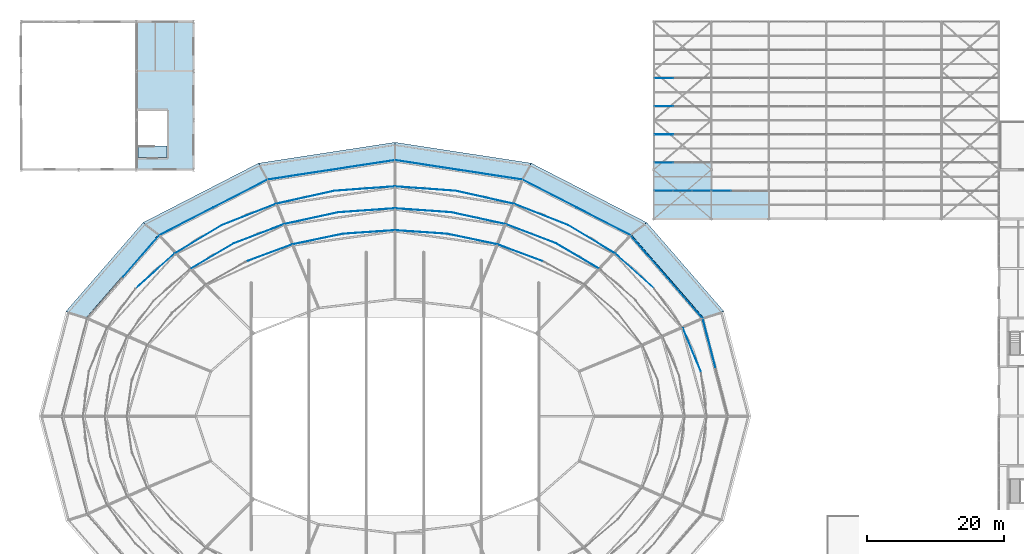
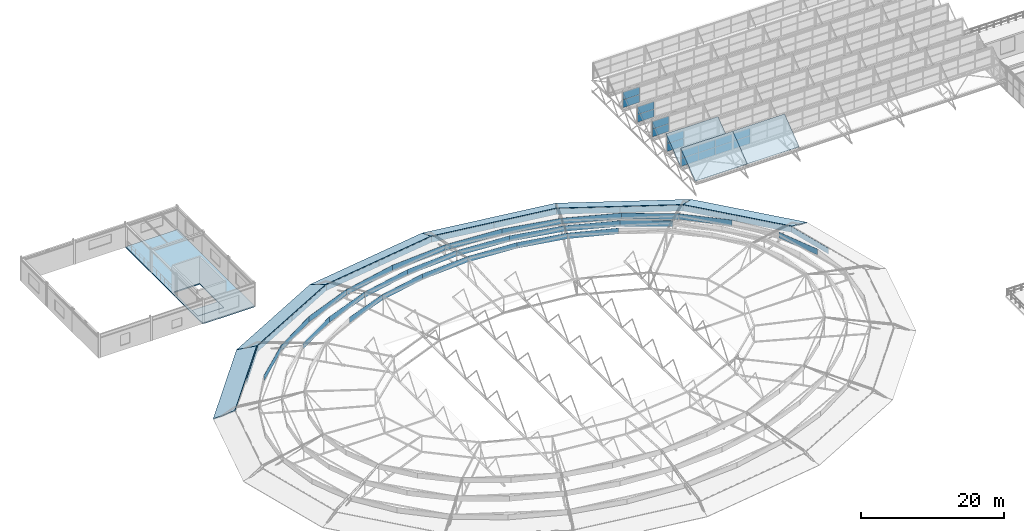
# One storey, part 105 of 134: 53 plates, 11 slabs, 6 elements without a shape of their own.
"""IFC4 building model written with IfcOpenShell, lengths in metres."""

from ifc_helpers import new_model, si_unit, derived_unit, direction, frame, origin, origin_2d, place, context, subcontext, project, spatial, polyline, rectangle, outline, extrude, material, layer, layer_set, type_object, element, aggregate, save


model = new_model("IFC4")

# Units and contexts
model_context = context("Model", 3, precision=1e-05, world=origin(), true_north=direction((0.0, 1.0)))
body_context = subcontext(model_context, "Body", "Model", "MODEL_VIEW")
ifc_project = project(units=[si_unit("LENGTHUNIT", "METRE"), si_unit("AREAUNIT", "SQUARE_METRE"), si_unit("VOLUMEUNIT", "CUBIC_METRE"), si_unit("PLANEANGLEUNIT", "RADIAN"), si_unit("MASSUNIT", "GRAM", prefix="KILO"), derived_unit("THERMALTRANSMITTANCEUNIT", [(si_unit("MASSUNIT", "GRAM", prefix="KILO"), 1), (si_unit("TIMEUNIT", "SECOND"), -3), (si_unit("THERMODYNAMICTEMPERATUREUNIT", "KELVIN"), -1)])], contexts=[model_context])

# Site, building, storey
site_placement = place(None, origin())
site = spatial("IfcSite", under=ifc_project, at=site_placement, CompositionType="ELEMENT")
building_placement = place(site_placement, origin())
building = spatial("IfcBuilding", under=site, at=building_placement, Name="Kharveza Railside Sports Centre", CompositionType="ELEMENT")
storey_placement = place(building_placement, frame((0.0, 0.0, 12.89990234375)))
storey = spatial("IfcBuildingStorey", under=building, at=storey_placement, Name="L03", CompositionType="ELEMENT", Elevation=12.89990234375)

# Plates
ifc_material_1 = material(Name="Patinated architectural bronze CuSn6")
ifc_layer_1 = layer(ifc_material_1, 0.02490234375, Name="Patinated architectural bronze CuSn6")
ifc_layer_set_1 = layer_set([ifc_layer_1], Name="Patinated architectural bronze CuSn6")
plate_type_1 = type_object("IfcPlateType", Name="PL-BZ01", PredefinedType="SHEET", material=ifc_layer_set_1)
plate_1_placement = place(storey_placement, frame((100.47265625, 61.137451171875, -0.27978515625), z_axis=(0.0, 0.0, 1.0), x_axis=(-0.250346209174, 0.968156379699, 0.0)))
element("IfcPlate", 1, at=plate_1_placement, inside=storey, type_object=plate_type_1, Name="PLT-BZ-S1-02", PredefinedType="SHEET", context=body_context, shape_type="SweptSolid", body=[
    extrude(rectangle(XDim=7.4189453125, YDim=0.02490234375, at=origin_2d()), origin(), (0.0, 0.0, 1.0), 0.97998046875),
])
for number, where, z_axis, x_axis, name in (
    (2, (96.930419921875, 67.714111328125, -0.27978515625), (0.0, 0.0, 1.0), (-0.655782369422, 0.754949987718, 0.0), "PLT-BZ-S1-03"),
    (3, (91.64111328125, 73.803466796875, -0.27978515625), (0.0, 0.0, 1.0), (-0.655782369422, 0.754949987718, 0.0), "PLT-BZ-S1-04"),
):
    element("IfcPlate", number, at=place(storey_placement, frame(where, z_axis=z_axis, x_axis=x_axis)), inside=storey, type_object=plate_type_1, Name=name, PredefinedType="SHEET", context=body_context, shape_type="SweptSolid", body=[
        extrude(rectangle(XDim=8.065673828125, YDim=0.02490234375, at=origin_2d()), origin(), (0.0, 0.0, 1.0), 0.97998046875),
    ])
for number, where, z_axis, x_axis, name in (
    (4, (85.08203125, 78.84814453125, -0.27978515625), (0.0, 0.0, 1.0), (-0.889400417022, 0.457128973268, 0.0), "PLT-BZ-S1-05"),
    (5, (77.166259765625, 82.916748046875, -0.27978515625), (0.0, 0.0, 1.0), (-0.889400417022, 0.457128973268, 0.0), "PLT-BZ-S1-06"),
):
    element("IfcPlate", number, at=place(storey_placement, frame(where, z_axis=z_axis, x_axis=x_axis)), inside=storey, type_object=plate_type_1, Name=name, PredefinedType="SHEET", context=body_context, shape_type="SweptSolid", body=[
        extrude(rectangle(XDim=8.900390625, YDim=0.02490234375, at=origin_2d()), origin(), (0.0, 0.0, 1.0), 0.97998046875),
    ])
for number, where, z_axis, x_axis, name in (
    (6, (68.583984375, 85.651123046875, -0.27978515625), (0.0, 0.0, 1.0), (-0.988496526657, 0.151243567751, 0.0), "PLT-BZ-S1-07"),
    (7, (59.24658203125, 87.079833984375, -0.27978515625), (0.0, 0.0, 1.0), (-0.988496526657, 0.151243567751, 0.0), "PLT-BZ-S1-08"),
    (8, (49.953369140625, 87.079833984375, -0.27978515625), (0.0, 0.0, 1.0), (-0.988496526657, -0.151243567751, 0.0), "PLT-BZ-S1-09"),
    (9, (40.615966796875, 85.651123046875, -0.27978515625), (0.0, 0.0, 1.0), (-0.988496526657, -0.151243567751, 0.0), "PLT-BZ-S1-10"),
):
    element("IfcPlate", number, at=place(storey_placement, frame(where, z_axis=z_axis, x_axis=x_axis)), inside=storey, type_object=plate_type_1, Name=name, PredefinedType="SHEET", context=body_context, shape_type="SweptSolid", body=[
        extrude(rectangle(XDim=9.446044921875, YDim=0.02490234375, at=origin_2d()), origin(), (0.0, 0.0, 1.0), 0.97998046875),
    ])
for number, where, z_axis, x_axis, name in (
    (10, (32.03369140625, 82.916748046875, -0.27978515625), (0.0, 0.0, 1.0), (-0.889400417022, -0.457128973268, 0.0), "PLT-BZ-S1-11"),
    (11, (24.117919921875, 78.84814453125, -0.27978515625), (0.0, 0.0, 1.0), (-0.889400417022, -0.457128973268, 0.0), "PLT-BZ-S1-12"),
):
    element("IfcPlate", number, at=place(storey_placement, frame(where, z_axis=z_axis, x_axis=x_axis)), inside=storey, type_object=plate_type_1, Name=name, PredefinedType="SHEET", context=body_context, shape_type="SweptSolid", body=[
        extrude(rectangle(XDim=8.900390625, YDim=0.02490234375, at=origin_2d()), origin(), (0.0, 0.0, 1.0), 0.97998046875),
    ])
plate_2_placement = place(storey_placement, frame((17.558837890625, 73.803466796875, -0.27978515625), z_axis=(0.0, 0.0, 1.0), x_axis=(-0.655782369422, -0.754949987718, 0.0)))
element("IfcPlate", 12, at=plate_2_placement, inside=storey, type_object=plate_type_1, Name="PLT-BZ-S1-13", PredefinedType="SHEET", context=body_context, shape_type="SweptSolid", body=[
    extrude(rectangle(XDim=8.065673828125, YDim=0.02490234375, at=origin_2d()), origin(), (0.0, 0.0, 1.0), 0.97998046875),
])
ifc_layer_2 = layer(ifc_material_1, 0.02490234375, Name="Patinated architectural bronze CuSn6")
ifc_layer_set_2 = layer_set([ifc_layer_2], Name="Patinated architectural bronze CuSn6")
plate_type_2 = type_object("IfcPlateType", Name="PL-BZ02", PredefinedType="SHEET", material=ifc_layer_set_2)
plate_3_placement = place(storey_placement, frame((97.978759765625, 60.09228515625, 0.670166015625), z_axis=(0.0, 0.0, 1.0), x_axis=(-0.380812179537, 0.924652412486, 0.0)))
element("IfcPlate", 13, at=plate_3_placement, inside=storey, type_object=plate_type_2, Name="PLT-BZ-S2-02", PredefinedType="SHEET", context=body_context, shape_type="SweptSolid", body=[
    extrude(rectangle(XDim=6.806640625, YDim=0.02490234375, at=origin_2d()), origin(), (0.0, 0.0, 1.0), 0.97998046875),
])
plate_4_placement = place(storey_placement, frame((89.64111328125, 71.581298828125, 0.670166015625), z_axis=(0.0, 0.0, 1.0), x_axis=(-0.744218291961, 0.667936474458, 0.0)))
element("IfcPlate", 14, at=plate_4_placement, inside=storey, type_object=plate_type_2, Name="PLT-BZ-S2-04", PredefinedType="SHEET", context=body_context, shape_type="SweptSolid", body=[
    extrude(rectangle(XDim=7.611572265625, YDim=0.02490234375, at=origin_2d()), origin(), (0.0, 0.0, 1.0), 0.97998046875),
])
plate_5_placement = place(storey_placement, frame((83.357421875, 76.209716796875, 0.670166015625), z_axis=(0.0, 0.0, 1.0), x_axis=(-0.855797941238, 0.517310239384, 0.0)))
element("IfcPlate", 15, at=plate_5_placement, inside=storey, type_object=plate_type_2, Name="PLT-BZ-S2-05", PredefinedType="SHEET", context=body_context, shape_type="SweptSolid", body=[
    extrude(rectangle(XDim=8.0654296875, YDim=0.02490234375, at=origin_2d()), origin(), (0.0, 0.0, 1.0), 0.97998046875),
])
plate_6_placement = place(storey_placement, frame((75.96875, 79.845947265625, 0.670166015625), z_axis=(0.0, 0.0, 1.0), x_axis=(-0.930487914019, 0.366322592621, 0.0)))
element("IfcPlate", 16, at=plate_6_placement, inside=storey, type_object=plate_type_2, Name="PLT-BZ-S2-06", PredefinedType="SHEET", context=body_context, shape_type="SweptSolid", body=[
    extrude(rectangle(XDim=8.46337890625, YDim=0.02490234375, at=origin_2d()), origin(), (0.0, 0.0, 1.0), 0.97998046875),
])
plate_7_placement = place(storey_placement, frame((67.7587890625, 82.350830078125, 0.670166015625), z_axis=(0.0, 0.0, 1.0), x_axis=(-0.975935794812, 0.218058075762, 0.0)))
element("IfcPlate", 17, at=plate_7_placement, inside=storey, type_object=plate_type_2, Name="PLT-BZ-S2-07", PredefinedType="SHEET", context=body_context, shape_type="SweptSolid", body=[
    extrude(rectangle(XDim=8.755615234375, YDim=0.02490234375, at=origin_2d()), origin(), (0.0, 0.0, 1.0), 0.97998046875),
])
for number, where, z_axis, x_axis, name in (
    (18, (59.043212890625, 83.627685546875, 0.670166015625), (0.0, 0.0, 1.0), (-0.997379272756, 0.072350440745, 0.0), "PLT-BZ-S2-08"),
    (19, (50.15673828125, 83.627685546875, 0.670166015625), (0.0, 0.0, 1.0), (-0.997379272756, -0.072350440745, 0.0), "PLT-BZ-S2-09"),
):
    element("IfcPlate", number, at=place(storey_placement, frame(where, z_axis=z_axis, x_axis=x_axis)), inside=storey, type_object=plate_type_2, Name=name, PredefinedType="SHEET", context=body_context, shape_type="SweptSolid", body=[
        extrude(rectangle(XDim=8.90966796875, YDim=0.02490234375, at=origin_2d()), origin(), (0.0, 0.0, 1.0), 0.97998046875),
    ])
plate_8_placement = place(storey_placement, frame((41.441162109375, 82.350830078125, 0.670166015625), z_axis=(0.0, 0.0, 1.0), x_axis=(-0.975935794812, -0.218058075762, 0.0)))
element("IfcPlate", 20, at=plate_8_placement, inside=storey, type_object=plate_type_2, Name="PLT-BZ-S2-10", PredefinedType="SHEET", context=body_context, shape_type="SweptSolid", body=[
    extrude(rectangle(XDim=8.755615234375, YDim=0.02490234375, at=origin_2d()), origin(), (0.0, 0.0, 1.0), 0.97998046875),
])
plate_9_placement = place(storey_placement, frame((33.231201171875, 79.845947265625, 0.670166015625), z_axis=(0.0, 0.0, 1.0), x_axis=(-0.930487914019, -0.366322592621, 0.0)))
element("IfcPlate", 21, at=plate_9_placement, inside=storey, type_object=plate_type_2, Name="PLT-BZ-S2-11", PredefinedType="SHEET", context=body_context, shape_type="SweptSolid", body=[
    extrude(rectangle(XDim=8.46337890625, YDim=0.02490234375, at=origin_2d()), origin(), (0.0, 0.0, 1.0), 0.97998046875),
])
plate_10_placement = place(storey_placement, frame((25.842529296875, 76.209716796875, 0.670166015625), z_axis=(0.0, 0.0, 1.0), x_axis=(-0.855797941238, -0.517310239384, 0.0)))
element("IfcPlate", 22, at=plate_10_placement, inside=storey, type_object=plate_type_2, Name="PLT-BZ-S2-12", PredefinedType="SHEET", context=body_context, shape_type="SweptSolid", body=[
    extrude(rectangle(XDim=8.0654296875, YDim=0.02490234375, at=origin_2d()), origin(), (0.0, 0.0, 1.0), 0.97998046875),
])
plate_11_placement = place(storey_placement, frame((19.558837890625, 71.581298828125, 0.670166015625), z_axis=(0.0, 0.0, 1.0), x_axis=(-0.744218291961, -0.667936474458, 0.0)))
element("IfcPlate", 23, at=plate_11_placement, inside=storey, type_object=plate_type_2, Name="PLT-BZ-S2-13", PredefinedType="SHEET", context=body_context, shape_type="SweptSolid", body=[
    extrude(rectangle(XDim=7.611572265625, YDim=0.02490234375, at=origin_2d()), origin(), (0.0, 0.0, 1.0), 0.97998046875),
])
ifc_layer_3 = layer(ifc_material_1, 0.02490234375, Name="Patinated architectural bronze CuSn6")
ifc_layer_set_3 = layer_set([ifc_layer_3], Name="Patinated architectural bronze CuSn6")
plate_type_3 = type_object("IfcPlateType", Name="PL-BZ03", PredefinedType="SHEET", material=ifc_layer_set_3)
plate_12_placement = place(storey_placement, frame((81.337158203125, 73.747802734375, 1.6201171875), z_axis=(0.0, 0.0, 1.0), x_axis=(-0.861974431214, 0.506951753063, 0.0)))
element("IfcPlate", 24, at=plate_12_placement, inside=storey, type_object=plate_type_3, Name="PLT-BZ-S3-05", PredefinedType="SHEET", context=body_context, shape_type="SweptSolid", body=[
    extrude(rectangle(XDim=7.4453125, YDim=0.02490234375, at=origin_2d()), origin(), (0.0, 0.0, 1.0), 0.97998046875),
])
plate_13_placement = place(storey_placement, frame((74.467529296875, 77.037353515625, 1.6201171875), z_axis=(0.0, 0.0, 1.0), x_axis=(-0.933830386995, 0.357716100175, 0.0)))
element("IfcPlate", 25, at=plate_13_placement, inside=storey, type_object=plate_type_3, Name="PLT-BZ-S3-06", PredefinedType="SHEET", context=body_context, shape_type="SweptSolid", body=[
    extrude(rectangle(XDim=7.840576171875, YDim=0.02490234375, at=origin_2d()), origin(), (0.0, 0.0, 1.0), 0.97998046875),
])
plate_14_placement = place(storey_placement, frame((66.83447265625, 79.30322265625, 1.6201171875), z_axis=(0.0, 0.0, 1.0), x_axis=(-0.977175524989, 0.212433503388, 0.0)))
element("IfcPlate", 26, at=plate_14_placement, inside=storey, type_object=plate_type_3, Name="PLT-BZ-S3-07", PredefinedType="SHEET", context=body_context, shape_type="SweptSolid", body=[
    extrude(rectangle(XDim=8.130126953125, YDim=0.02490234375, at=origin_2d()), origin(), (0.0, 0.0, 1.0), 0.97998046875),
])
for number, where, z_axis, x_axis, name in (
    (27, (58.73095703125, 80.45849609375, 1.6201171875), (0.0, 0.0, 1.0), (-0.997518795495, 0.07040065791, 0.0), "PLT-BZ-S3-08"),
    (28, (50.468994140625, 80.45849609375, 1.6201171875), (0.0, 0.0, 1.0), (-0.997518795495, -0.07040065791, 0.0), "PLT-BZ-S3-09"),
):
    element("IfcPlate", number, at=place(storey_placement, frame(where, z_axis=z_axis, x_axis=x_axis)), inside=storey, type_object=plate_type_3, Name=name, PredefinedType="SHEET", context=body_context, shape_type="SweptSolid", body=[
        extrude(rectangle(XDim=8.28271484375, YDim=0.02490234375, at=origin_2d()), origin(), (0.0, 0.0, 1.0), 0.97998046875),
    ])
plate_15_placement = place(storey_placement, frame((42.365478515625, 79.30322265625, 1.6201171875), z_axis=(0.0, 0.0, 1.0), x_axis=(-0.977175524989, -0.212433503388, 0.0)))
element("IfcPlate", 29, at=plate_15_placement, inside=storey, type_object=plate_type_3, Name="PLT-BZ-S3-10", PredefinedType="SHEET", context=body_context, shape_type="SweptSolid", body=[
    extrude(rectangle(XDim=8.130126953125, YDim=0.02490234375, at=origin_2d()), origin(), (0.0, 0.0, 1.0), 0.97998046875),
])
plate_16_placement = place(storey_placement, frame((34.732421875, 77.037353515625, 1.6201171875), z_axis=(0.0, 0.0, 1.0), x_axis=(-0.933830386995, -0.357716100175, 0.0)))
element("IfcPlate", 30, at=plate_16_placement, inside=storey, type_object=plate_type_3, Name="PLT-BZ-S3-11", PredefinedType="SHEET", context=body_context, shape_type="SweptSolid", body=[
    extrude(rectangle(XDim=7.840576171875, YDim=0.02490234375, at=origin_2d()), origin(), (0.0, 0.0, 1.0), 0.97998046875),
])
plate_17_placement = place(storey_placement, frame((27.86279296875, 73.747802734375, 1.6201171875), z_axis=(0.0, 0.0, 1.0), x_axis=(-0.861974431214, -0.506951753063, 0.0)))
element("IfcPlate", 31, at=plate_17_placement, inside=storey, type_object=plate_type_3, Name="PLT-BZ-S3-12", PredefinedType="SHEET", context=body_context, shape_type="SweptSolid", body=[
    extrude(rectangle(XDim=7.4453125, YDim=0.02490234375, at=origin_2d()), origin(), (0.0, 0.0, 1.0), 0.97998046875),
])
ifc_layer_4 = layer(ifc_material_1, 0.02490234375, Name="Patinated architectural bronze CuSn6")
ifc_layer_set_4 = layer_set([ifc_layer_4], Name="Patinated architectural bronze CuSn6")
plate_type_4 = type_object("IfcPlateType", Name="PL-BZ04", PredefinedType="SHEET", material=ifc_layer_set_4)
plate_18_placement = place(storey_placement, frame((72.96630859375, 74.22900390625, 2.570068359375), z_axis=(0.0, 0.0, 1.0), x_axis=(-0.93765256575, 0.347573971899, 0.0)))
element("IfcPlate", 32, at=plate_18_placement, inside=storey, type_object=plate_type_4, Name="PLT-BZ-S4-06", PredefinedType="SHEET", context=body_context, shape_type="SweptSolid", body=[
    extrude(rectangle(XDim=7.218505859375, YDim=0.02490234375, at=origin_2d()), origin(), (0.0, 0.0, 1.0), 0.97998046875),
])
plate_19_placement = place(storey_placement, frame((65.909912109375, 76.255859375, 2.570068359375), z_axis=(0.0, 0.0, 1.0), x_axis=(-0.978580904325, 0.20586260877, 0.0)))
element("IfcPlate", 33, at=plate_19_placement, inside=storey, type_object=plate_type_4, Name="PLT-BZ-S4-07", PredefinedType="SHEET", context=body_context, shape_type="SweptSolid", body=[
    extrude(rectangle(XDim=7.5048828125, YDim=0.02490234375, at=origin_2d()), origin(), (0.0, 0.0, 1.0), 0.97998046875),
])
for number, where, z_axis, x_axis, name in (
    (34, (58.4189453125, 77.289306640625, 2.570068359375), (0.0, 0.0, 1.0), (-0.997675961754, 0.068137180286, 0.0), "PLT-BZ-S4-08"),
    (35, (50.781005859375, 77.289306640625, 2.570068359375), (0.0, 0.0, 1.0), (-0.997675961754, -0.068137180286, 0.0), "PLT-BZ-S4-09"),
):
    element("IfcPlate", number, at=place(storey_placement, frame(where, z_axis=z_axis, x_axis=x_axis)), inside=storey, type_object=plate_type_4, Name=name, PredefinedType="SHEET", context=body_context, shape_type="SweptSolid", body=[
        extrude(rectangle(XDim=7.655517578125, YDim=0.02490234375, at=origin_2d()), origin(), (0.0, 0.0, 1.0), 0.97998046875),
    ])
plate_20_placement = place(storey_placement, frame((43.2900390625, 76.255859375, 2.570068359375), z_axis=(0.0, 0.0, 1.0), x_axis=(-0.978580904325, -0.20586260877, 0.0)))
element("IfcPlate", 36, at=plate_20_placement, inside=storey, type_object=plate_type_4, Name="PLT-BZ-S4-10", PredefinedType="SHEET", context=body_context, shape_type="SweptSolid", body=[
    extrude(rectangle(XDim=7.5048828125, YDim=0.02490234375, at=origin_2d()), origin(), (0.0, 0.0, 1.0), 0.97998046875),
])
plate_21_placement = place(storey_placement, frame((36.233642578125, 74.22900390625, 2.570068359375), z_axis=(0.0, 0.0, 1.0), x_axis=(-0.93765256575, -0.347573971899, 0.0)))
element("IfcPlate", 37, at=plate_21_placement, inside=storey, type_object=plate_type_4, Name="PLT-BZ-S4-11", PredefinedType="SHEET", context=body_context, shape_type="SweptSolid", body=[
    extrude(rectangle(XDim=7.218505859375, YDim=0.02490234375, at=origin_2d()), origin(), (0.0, 0.0, 1.0), 0.97998046875),
])

# Curtain wall, plates
ifc_material_2 = material(Name="Low-E solar-control laminated glass", Category="glass")
curtain_wall_type = type_object("IfcCurtainWallType", Name="CW-NL02", PredefinedType="NOTDEFINED", material=ifc_material_2)
curtain_wall_1_placement = place(storey_placement, origin())
curtain_wall_1 = element("IfcCurtainWall", 38, at=curtain_wall_1_placement, inside=storey, type_object=curtain_wall_type, Name="CW-V2NL-1-1", PredefinedType="NOTDEFINED")
ifc_layer_5 = layer(ifc_material_2, 0.033935546875, Name="Low-E solar-control laminated glass")
ifc_layer_set_5 = layer_set([ifc_layer_5], Name="Low-E solar-control laminated glass")
plate_type_5 = type_object("IfcPlateType", Name="PL-CP06", PredefinedType="CURTAIN_PANEL", material=ifc_layer_set_5)
plate_22_placement = place(storey_placement, frame((93.8798828125, 83.314208984375, 2.219970703125), z_axis=(0.0, 0.0, 1.0), x_axis=(1.0, 0.0, 0.0)))
plate_22 = element("IfcPlate", 39, at=plate_22_placement, type_object=plate_type_5, Name="CW-V2NL-1-1-PN11", PredefinedType="CURTAIN_PANEL", context=body_context, shape_type="SweptSolid", body=[
    extrude(rectangle(XDim=2.679931640625, YDim=0.033935546875, at=origin_2d()), origin(), (0.0, 0.0, 1.0), 1.31005859375),
])
plate_23_placement = place(storey_placement, frame((93.8798828125, 83.314208984375, 3.570068359375), z_axis=(0.0, 0.0, 1.0), x_axis=(1.0, 0.0, 0.0)))
plate_23 = element("IfcPlate", 40, at=plate_23_placement, type_object=plate_type_5, Name="CW-V2NL-1-1-PN12", PredefinedType="CURTAIN_PANEL", context=body_context, shape_type="SweptSolid", body=[
    extrude(rectangle(XDim=2.679931640625, YDim=0.033935546875, at=origin_2d()), origin(), (0.0, 0.0, 1.0), 1.31005859375),
])
plate_24_placement = place(storey_placement, frame((96.60009765625, 83.314208984375, 2.219970703125), z_axis=(0.0, 0.0, 1.0), x_axis=(1.0, 0.0, 0.0)))
plate_24 = element("IfcPlate", 41, at=plate_24_placement, type_object=plate_type_5, Name="CW-V2NL-1-1-PN21", PredefinedType="CURTAIN_PANEL", context=body_context, shape_type="SweptSolid", body=[
    extrude(rectangle(XDim=2.679931640625, YDim=0.033935546875, at=origin_2d()), origin(), (0.0, 0.0, 1.0), 1.31005859375),
])
plate_25_placement = place(storey_placement, frame((96.60009765625, 83.314208984375, 3.570068359375), z_axis=(0.0, 0.0, 1.0), x_axis=(1.0, 0.0, 0.0)))
plate_25 = element("IfcPlate", 42, at=plate_25_placement, type_object=plate_type_5, Name="CW-V2NL-1-1-PN22", PredefinedType="CURTAIN_PANEL", context=body_context, shape_type="SweptSolid", body=[
    extrude(rectangle(XDim=2.679931640625, YDim=0.033935546875, at=origin_2d()), origin(), (0.0, 0.0, 1.0), 1.31005859375),
])
plate_26_placement = place(storey_placement, frame((99.320068359375, 83.314208984375, 2.219970703125), z_axis=(0.0, 0.0, 1.0), x_axis=(1.0, 0.0, 0.0)))
plate_26 = element("IfcPlate", 43, at=plate_26_placement, type_object=plate_type_5, Name="CW-V2NL-1-1-PN31", PredefinedType="CURTAIN_PANEL", context=body_context, shape_type="SweptSolid", body=[
    extrude(rectangle(XDim=2.679931640625, YDim=0.033935546875, at=origin_2d()), origin(), (0.0, 0.0, 1.0), 1.31005859375),
])
plate_27_placement = place(storey_placement, frame((99.320068359375, 83.314208984375, 3.570068359375), z_axis=(0.0, 0.0, 1.0), x_axis=(1.0, 0.0, 0.0)))
plate_27 = element("IfcPlate", 44, at=plate_27_placement, type_object=plate_type_5, Name="CW-V2NL-1-1-PN32", PredefinedType="CURTAIN_PANEL", context=body_context, shape_type="SweptSolid", body=[
    extrude(rectangle(XDim=2.679931640625, YDim=0.033935546875, at=origin_2d()), origin(), (0.0, 0.0, 1.0), 1.31005859375),
])
aggregate(curtain_wall_1, [plate_22, plate_23, plate_24, plate_25, plate_26, plate_27])

curtain_wall_2_placement = place(storey_placement, origin())
curtain_wall_2 = element("IfcCurtainWall", 45, at=curtain_wall_2_placement, inside=storey, type_object=curtain_wall_type, Name="CW-V2NL-1-2", PredefinedType="NOTDEFINED")
plate_28_placement = place(storey_placement, frame((102.280029296875, 83.314208984375, 2.219970703125), z_axis=(0.0, 0.0, 1.0), x_axis=(1.0, 0.0, 0.0)))
plate_28 = element("IfcPlate", 46, at=plate_28_placement, type_object=plate_type_5, Name="CW-V2NL-1-2-PN11", PredefinedType="CURTAIN_PANEL", context=body_context, shape_type="SweptSolid", body=[
    extrude(rectangle(XDim=2.679931640625, YDim=0.033935546875, at=origin_2d()), origin(), (0.0, 0.0, 1.0), 1.31005859375),
])
plate_29_placement = place(storey_placement, frame((102.280029296875, 83.314208984375, 3.570068359375), z_axis=(0.0, 0.0, 1.0), x_axis=(1.0, 0.0, 0.0)))
plate_29 = element("IfcPlate", 47, at=plate_29_placement, type_object=plate_type_5, Name="CW-V2NL-1-2-PN12", PredefinedType="CURTAIN_PANEL", context=body_context, shape_type="SweptSolid", body=[
    extrude(rectangle(XDim=2.679931640625, YDim=0.033935546875, at=origin_2d()), origin(), (0.0, 0.0, 1.0), 1.31005859375),
])
aggregate(curtain_wall_2, [plate_28, plate_29])

curtain_wall_3_placement = place(storey_placement, origin())
curtain_wall_3 = element("IfcCurtainWall", 48, at=curtain_wall_3_placement, inside=storey, type_object=curtain_wall_type, Name="CW-V2NL-2-1", PredefinedType="NOTDEFINED")
plate_30_placement = place(storey_placement, frame((93.8798828125, 87.4287109375, 2.219970703125), z_axis=(0.0, 0.0, 1.0), x_axis=(1.0, 0.0, 0.0)))
plate_30 = element("IfcPlate", 49, at=plate_30_placement, type_object=plate_type_5, Name="CW-V2NL-2-1-PN11", PredefinedType="CURTAIN_PANEL", context=body_context, shape_type="SweptSolid", body=[
    extrude(rectangle(XDim=2.679931640625, YDim=0.033935546875, at=origin_2d()), origin(), (0.0, 0.0, 1.0), 1.31005859375),
])
plate_31_placement = place(storey_placement, frame((93.8798828125, 87.4287109375, 3.570068359375), z_axis=(0.0, 0.0, 1.0), x_axis=(1.0, 0.0, 0.0)))
plate_31 = element("IfcPlate", 50, at=plate_31_placement, type_object=plate_type_5, Name="CW-V2NL-2-1-PN12", PredefinedType="CURTAIN_PANEL", context=body_context, shape_type="SweptSolid", body=[
    extrude(rectangle(XDim=2.679931640625, YDim=0.033935546875, at=origin_2d()), origin(), (0.0, 0.0, 1.0), 1.31005859375),
])
aggregate(curtain_wall_3, [plate_30, plate_31])

curtain_wall_4_placement = place(storey_placement, origin())
curtain_wall_4 = element("IfcCurtainWall", 51, at=curtain_wall_4_placement, inside=storey, type_object=curtain_wall_type, Name="CW-V2NL-3-1", PredefinedType="NOTDEFINED")
plate_32_placement = place(storey_placement, frame((93.8798828125, 91.54296875, 2.219970703125), z_axis=(0.0, 0.0, 1.0), x_axis=(1.0, 0.0, 0.0)))
plate_32 = element("IfcPlate", 52, at=plate_32_placement, type_object=plate_type_5, Name="CW-V2NL-3-1-PN11", PredefinedType="CURTAIN_PANEL", context=body_context, shape_type="SweptSolid", body=[
    extrude(rectangle(XDim=2.679931640625, YDim=0.033935546875, at=origin_2d()), origin(), (0.0, 0.0, 1.0), 1.31005859375),
])
plate_33_placement = place(storey_placement, frame((93.8798828125, 91.54296875, 3.570068359375), z_axis=(0.0, 0.0, 1.0), x_axis=(1.0, 0.0, 0.0)))
plate_33 = element("IfcPlate", 53, at=plate_33_placement, type_object=plate_type_5, Name="CW-V2NL-3-1-PN12", PredefinedType="CURTAIN_PANEL", context=body_context, shape_type="SweptSolid", body=[
    extrude(rectangle(XDim=2.679931640625, YDim=0.033935546875, at=origin_2d()), origin(), (0.0, 0.0, 1.0), 1.31005859375),
])
aggregate(curtain_wall_4, [plate_32, plate_33])

curtain_wall_5_placement = place(storey_placement, origin())
curtain_wall_5 = element("IfcCurtainWall", 54, at=curtain_wall_5_placement, inside=storey, type_object=curtain_wall_type, Name="CW-V2NL-4-1", PredefinedType="NOTDEFINED")
plate_34_placement = place(storey_placement, frame((93.8798828125, 95.656982421875, 2.219970703125), z_axis=(0.0, 0.0, 1.0), x_axis=(1.0, 0.0, 0.0)))
plate_34 = element("IfcPlate", 55, at=plate_34_placement, type_object=plate_type_5, Name="CW-V2NL-4-1-PN11", PredefinedType="CURTAIN_PANEL", context=body_context, shape_type="SweptSolid", body=[
    extrude(rectangle(XDim=2.679931640625, YDim=0.033935546875, at=origin_2d()), origin(), (0.0, 0.0, 1.0), 1.31005859375),
])
plate_35_placement = place(storey_placement, frame((93.8798828125, 95.656982421875, 3.570068359375), z_axis=(0.0, 0.0, 1.0), x_axis=(1.0, 0.0, 0.0)))
plate_35 = element("IfcPlate", 56, at=plate_35_placement, type_object=plate_type_5, Name="CW-V2NL-4-1-PN12", PredefinedType="CURTAIN_PANEL", context=body_context, shape_type="SweptSolid", body=[
    extrude(rectangle(XDim=2.679931640625, YDim=0.033935546875, at=origin_2d()), origin(), (0.0, 0.0, 1.0), 1.31005859375),
])
aggregate(curtain_wall_5, [plate_34, plate_35])

curtain_wall_6_placement = place(storey_placement, origin())
curtain_wall_6 = element("IfcCurtainWall", 57, at=curtain_wall_6_placement, inside=storey, type_object=curtain_wall_type, Name="CW-V2NL-5-1", PredefinedType="NOTDEFINED")
plate_36_placement = place(storey_placement, frame((93.8798828125, 99.771484375, 2.219970703125), z_axis=(0.0, 0.0, 1.0), x_axis=(1.0, 0.0, 0.0)))
plate_36 = element("IfcPlate", 58, at=plate_36_placement, type_object=plate_type_5, Name="CW-V2NL-5-1-PN11", PredefinedType="CURTAIN_PANEL", context=body_context, shape_type="SweptSolid", body=[
    extrude(rectangle(XDim=2.679931640625, YDim=0.033935546875, at=origin_2d()), origin(), (0.0, 0.0, 1.0), 1.31005859375),
])
plate_37_placement = place(storey_placement, frame((93.8798828125, 99.771484375, 3.570068359375), z_axis=(0.0, 0.0, 1.0), x_axis=(1.0, 0.0, 0.0)))
plate_37 = element("IfcPlate", 59, at=plate_37_placement, type_object=plate_type_5, Name="CW-V2NL-5-1-PN12", PredefinedType="CURTAIN_PANEL", context=body_context, shape_type="SweptSolid", body=[
    extrude(rectangle(XDim=2.679931640625, YDim=0.033935546875, at=origin_2d()), origin(), (0.0, 0.0, 1.0), 1.31005859375),
])
aggregate(curtain_wall_6, [plate_36, plate_37])

# Slabs
ifc_material_3 = material(Name="Concrete C35/45", Category="concrete")
ifc_layer_6 = layer(ifc_material_3, 0.199951171875, Name="Concrete C35/45")
ifc_layer_set_6 = layer_set([ifc_layer_6], Name="Concrete C35/45")
slab_type_1 = type_object("IfcSlabType", Name="SL-FL200", PredefinedType="FLOOR", material=ifc_layer_set_6)
slab_1_placement = place(storey_placement, frame((0.0, 0.0, -0.199951171875)))
element("IfcSlab", 60, at=slab_1_placement, inside=storey, type_object=slab_type_1, Name="SLB-L03-IND-02", PredefinedType="FLOOR", context=body_context, shape_type="SweptSolid", body=[
    extrude(outline(polyline([(25.199951171875, 86.39990234375), (16.800048828125, 86.39990234375), (16.800048828125, 108.0), (25.199951171875, 108.0), (25.199951171875, 86.39990234375)]), holes=[polyline([(17.10009765625, 88.199951171875), (21.300048828125, 88.199951171875), (21.300048828125, 95.0), (17.10009765625, 95.0), (17.10009765625, 88.199951171875)])]), origin(), (0.0, 0.0, 1.0), 0.199951171875),
])
ifc_layer_7 = layer(ifc_material_3, 0.18505859375, Name="Concrete C35/45")
ifc_layer_set_7 = layer_set([ifc_layer_7], Name="Concrete C35/45")
slab_type_2 = type_object("IfcSlabType", Name="SL-LD185", PredefinedType="LANDING", material=ifc_layer_set_7)
slab_2_placement = place(storey_placement, frame((0.0, 0.0, -0.184814453125)))
element("IfcSlab", 61, at=slab_2_placement, inside=storey, type_object=slab_type_2, Name="SLB-STLND-FLR-ST6-L03", PredefinedType="LANDING", context=body_context, shape_type="SweptSolid", body=[
    extrude(outline(polyline([(17.10498046875, 88.205078125), (21.294921875, 88.205078125), (21.294921875, 89.860107421875), (17.10498046875, 89.860107421875), (17.10498046875, 88.205078125)])), origin(), (0.0, 0.0, 1.0), 0.184814453125),
])
ifc_material_4 = material(Name="Insulated standing-seam zinc-aluminium roof panel", Category="aluminium")
ifc_layer_8 = layer(ifc_material_4, 0.155029296875, Name="Insulated standing-seam zinc-aluminium roof panel")
ifc_layer_set_8 = layer_set([ifc_layer_8], Name="Insulated standing-seam zinc-aluminium roof panel")
slab_type_3 = type_object("IfcSlabType", Name="SL-RF155", PredefinedType="ROOF", material=ifc_layer_set_8)
slab_3_placement = place(storey_placement, frame((92.39990234375, 79.199951171875, 2.2001953125), z_axis=(0.0, -0.601757803356, 0.798678625042), x_axis=(1.0, 0.0, 0.0)))
element("IfcSlab", 62, at=slab_3_placement, inside=storey, type_object=slab_type_3, Name="Training Hall Sawtooth Roof Bay 1-1", PredefinedType="ROOF", context=body_context, shape_type="SweptSolid", body=[
    extrude(outline(polyline([(0.0, 0.0), (8.400146484375, 0.0), (8.400146484375, 5.151330815046725), (0.0, 5.151330815046725), (0.0, 0.0)])), origin(), (0.0, 0.0, -1.0), 0.155029296875),
])
slab_4_placement = place(storey_placement, frame((100.800048828125, 79.199951171875, 2.2001953125), z_axis=(0.0, -0.601757803356, 0.798678625042), x_axis=(1.0, 0.0, 0.0)))
element("IfcSlab", 63, at=slab_4_placement, inside=storey, type_object=slab_type_3, Name="Training Hall Sawtooth Roof Bay 1-2", PredefinedType="ROOF", context=body_context, shape_type="SweptSolid", body=[
    extrude(outline(polyline([(0.0, 0.0), (8.39990234375, 0.0), (8.39990234375, 5.151330815046725), (0.0, 5.151330815046725), (0.0, 0.0)])), origin(), (0.0, 0.0, -1.0), 0.155029296875),
])
slab_5_placement = place(storey_placement, frame((92.39990234375, 83.314208984375, 2.2001953125), z_axis=(0.0, -0.601735026036, 0.798695785917), x_axis=(1.0, 0.0, 0.0)))
element("IfcSlab", 64, at=slab_5_placement, inside=storey, type_object=slab_type_3, Name="Training Hall Sawtooth Roof Bay 2-1", PredefinedType="ROOF", context=body_context, shape_type="SweptSolid", body=[
    extrude(outline(polyline([(0.0, 0.0), (8.400146484375, 0.0), (8.400146484375, 5.15152580704029), (0.0, 5.15152580704029), (0.0, 0.0)])), origin(), (0.0, 0.0, -1.0), 0.155029296875),
])
ifc_layer_9 = layer(ifc_material_1, 0.169921875, Name="Patinated architectural bronze CuSn6")
ifc_layer_set_9 = layer_set([ifc_layer_9], Name="Patinated architectural bronze CuSn6")
slab_type_4 = type_object("IfcSlabType", Name="SL-RF170", PredefinedType="ROOF", material=ifc_layer_set_9)
slab_6_placement = place(storey_placement, frame((102.641845703125, 65.707275390625, -0.25), z_axis=(0.238793561273, 0.207425196315, 0.948658222453), x_axis=(-0.655775769937, 0.754955720264, -1.90478e-06)))
element("IfcSlab", 65, at=slab_6_placement, inside=storey, type_object=slab_type_4, Name="Elliptical Bronze Lid Sloped Rim 02", PredefinedType="ROOF", context=body_context, shape_type="SweptSolid", body=[
    extrude(outline(polyline([(0.0, 0.0), (17.1891453683335, 0.0), (17.358955893885664, 3.0041714083269646), (1.2277387675189786, 3.003970752770488), (0.0, 0.0)])), origin(), (0.0, 0.0, -1.0), 0.169921875),
])
slab_7_placement = place(storey_placement, frame((91.36962890625, 78.684326171875, -0.25), z_axis=(0.157848623132, 0.307106330306, 0.938493214712), x_axis=(-0.889398149121, 0.457133385717, 1.829216e-06)))
element("IfcSlab", 66, at=slab_7_placement, inside=storey, type_object=slab_type_4, Name="Elliptical Bronze Lid Sloped Rim 03", PredefinedType="ROOF", context=body_context, shape_type="SweptSolid", body=[
    extrude(outline(polyline([(0.0, 0.0), (18.9680081619567, 0.0), (19.017576215507958, 2.7517142099964023), (1.2169134578487542, 2.7519089921595286), (0.0, 0.0)])), origin(), (0.0, 0.0, -1.0), 0.169921875),
])
slab_8_placement = place(storey_placement, frame((74.49951171875, 87.355224609375, -0.25), z_axis=(0.055017892754, 0.359579195659, 0.93149118811), x_axis=(-0.988496506775, 0.151243697697, 9.74384e-07)))
element("IfcSlab", 67, at=slab_8_placement, inside=storey, type_object=slab_type_4, Name="Elliptical Bronze Lid Sloped Rim 04", PredefinedType="ROOF", context=body_context, shape_type="SweptSolid", body=[
    extrude(outline(polyline([(0.0, 0.0), (20.13098960648925, -8.881784197001252e-16), (19.758715395581646, 2.612068130801496), (0.8665691470308726, 2.612172658873558), (0.0, 0.0)])), origin(), (0.0, 0.0, -1.0), 0.169921875),
])
slab_9_placement = place(storey_placement, frame((54.60009765625, 90.39990234375, -0.25), z_axis=(-0.05501722144, 0.35957935975, 0.931491164417), x_axis=(-0.98849678535, -0.151241876979, -9.54642e-07)))
element("IfcSlab", 68, at=slab_9_placement, inside=storey, type_object=slab_type_4, Name="Elliptical Bronze Lid Sloped Rim 05", PredefinedType="ROOF", context=body_context, shape_type="SweptSolid", body=[
    extrude(outline(polyline([(0.0, 0.0), (20.131230938692582, 4.440892098500626e-16), (19.264657328652234, 2.612171178302025), (0.3722697481036157, 2.6120687668436973), (0.0, 0.0)])), origin(), (0.0, 0.0, -1.0), 0.169921875),
])
slab_10_placement = place(storey_placement, frame((34.700439453125, 87.355224609375, -0.25), z_axis=(-0.157852455995, 0.307111494628, 0.938490880086), x_axis=(-0.88939561463, -0.457138316788, -9.06136e-07)))
element("IfcSlab", 69, at=slab_10_placement, inside=storey, type_object=slab_type_4, Name="Elliptical Bronze Lid Sloped Rim 06", PredefinedType="ROOF", context=body_context, shape_type="SweptSolid", body=[
    extrude(outline(polyline([(0.0, 0.0), (18.967791024017114, 8.881784197001252e-16), (17.75110989990105, 2.7518109704288873), (-0.04955285859132379, 2.751714483856536), (0.0, 0.0)])), origin(), (0.0, 0.0, -1.0), 0.169921875),
])
slab_11_placement = place(storey_placement, frame((17.83056640625, 78.684326171875, -0.25), z_axis=(-0.238807460993, 0.207437270142, 0.948652083501), x_axis=(-0.655775769993, -0.754955720216, 1.904878e-06)))
element("IfcSlab", 70, at=slab_11_placement, inside=storey, type_object=slab_type_4, Name="Elliptical Bronze Lid Sloped Rim 07", PredefinedType="ROOF", context=body_context, shape_type="SweptSolid", body=[
    extrude(outline(polyline([(0.0, 0.0), (17.189145368333495, 0.0), (15.961566702203799, 3.003795901578666), (-0.16965042416289897, 3.003996555836662), (0.0, 0.0)])), origin(), (0.0, 0.0, -1.0), 0.169921875),
])

save(model, "model.ifc")
